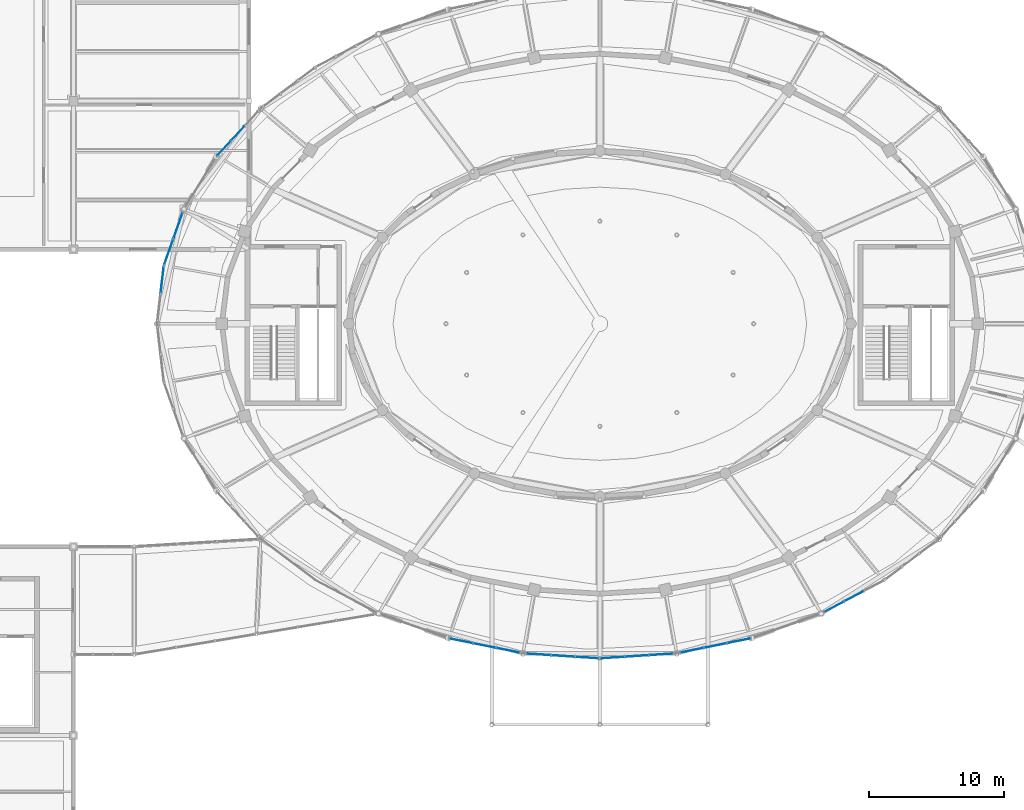
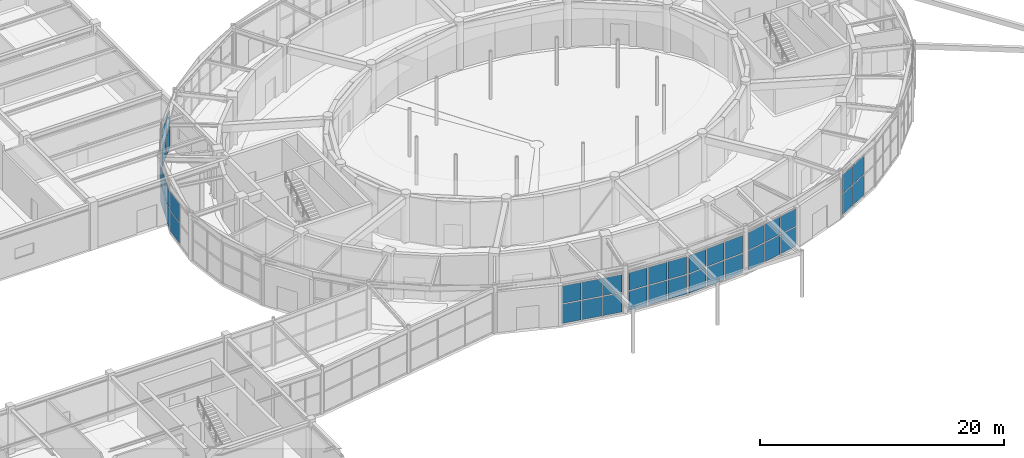
# One storey, part 78 of 108: 38 plates, 8 elements without a shape of their own.
"""IFC4 building model written with IfcOpenShell, lengths in metres."""

from ifc_helpers import new_model, si_unit, direction, frame, origin, origin_2d, place, context, subcontext, project, spatial, rectangle, extrude, material, layer, layer_set, type_object, element, aggregate, save


model = new_model("IFC4")

# Units and contexts
model_context = context("Model", 3, precision=1e-05, world=origin(), true_north=direction((0.0, 1.0)))
body_context = subcontext(model_context, "Body", "Model", "MODEL_VIEW")
ifc_project = project(units=[si_unit("LENGTHUNIT", "METRE"), si_unit("AREAUNIT", "SQUARE_METRE"), si_unit("VOLUMEUNIT", "CUBIC_METRE"), si_unit("PLANEANGLEUNIT", "RADIAN"), si_unit("MASSUNIT", "GRAM", prefix="KILO")], contexts=[model_context])

# Site, building, storey
site_placement = place(None, origin())
site = spatial("IfcSite", under=ifc_project, at=site_placement, CompositionType="ELEMENT")
building_placement = place(site_placement, origin())
building = spatial("IfcBuilding", under=site, at=building_placement, Name="Tarnveldt Headland Concert Hall", CompositionType="ELEMENT")
storey_placement = place(building_placement, origin())
storey = spatial("IfcBuildingStorey", under=building, at=storey_placement, Name="L00", CompositionType="ELEMENT", Elevation=0.0)

# Curtain wall, plates
ifc_material_1 = material(Name="Marine-anodised aluminium EN AW-6063-T6", Category="aluminium")
curtain_wall_type = type_object("IfcCurtainWallType", Name="CW-F1", PredefinedType="NOTDEFINED", material=ifc_material_1)
curtain_wall_1_placement = place(storey_placement, origin())
curtain_wall_1 = element("IfcCurtainWall", 1, at=curtain_wall_1_placement, inside=storey, type_object=curtain_wall_type, Name="Curtain wall CW-L00-012", PredefinedType="NOTDEFINED")
ifc_material_2 = material(Name="Acoustic laminated low-iron double glazing", Category="glass")
ifc_layer = layer(ifc_material_2, 0.031982421875, Name="Acoustic laminated low-iron double glazing", Category="glass")
ifc_layer_set = layer_set([ifc_layer], Name="Acoustic laminated low-iron double glazing")
plate_type = type_object("IfcPlateType", Name="PN-F1", PredefinedType="CURTAIN_PANEL", material=ifc_layer_set)
plate_1_placement = place(storey_placement, frame((56.6650390625, 68.595947265625, 0.09765625), z_axis=(0.0, 0.0, 1.0), x_axis=(-0.67945411016, -0.733718005903, 0.0)))
plate_1 = element("IfcPlate", 2, at=plate_1_placement, type_object=plate_type, Name="Glazed panel CW-L00-012-2-1", PredefinedType="CURTAIN_PANEL", context=body_context, shape_type="SweptSolid", body=[
    extrude(rectangle(XDim=1.3955078125, YDim=0.031982421875, at=origin_2d()), origin(), (0.0, 0.0, 1.0), 1.9130859375),
])
plate_2_placement = place(storey_placement, frame((56.6650390625, 68.595947265625, 2.105712890625), z_axis=(0.0, 0.0, 1.0), x_axis=(-0.67945411016, -0.733718005903, 0.0)))
plate_2 = element("IfcPlate", 3, at=plate_2_placement, type_object=plate_type, Name="Glazed panel CW-L00-012-2-2", PredefinedType="CURTAIN_PANEL", context=body_context, shape_type="SweptSolid", body=[
    extrude(rectangle(XDim=1.3955078125, YDim=0.031982421875, at=origin_2d()), origin(), (0.0, 0.0, 1.0), 1.7548828125),
])
plate_3_placement = place(storey_placement, frame((55.635986328125, 67.48486328125, 0.09765625), z_axis=(0.0, 0.0, 1.0), x_axis=(-0.67945411016, -0.733718005903, 0.0)))
plate_3 = element("IfcPlate", 4, at=plate_3_placement, type_object=plate_type, Name="Glazed panel CW-L00-012-3-1", PredefinedType="CURTAIN_PANEL", context=body_context, shape_type="SweptSolid", body=[
    extrude(rectangle(XDim=1.3955078125, YDim=0.031982421875, at=origin_2d()), origin(), (0.0, 0.0, 1.0), 1.9130859375),
])
plate_4_placement = place(storey_placement, frame((55.635986328125, 67.48486328125, 2.105712890625), z_axis=(0.0, 0.0, 1.0), x_axis=(-0.67945411016, -0.733718005903, 0.0)))
plate_4 = element("IfcPlate", 5, at=plate_4_placement, type_object=plate_type, Name="Glazed panel CW-L00-012-3-2", PredefinedType="CURTAIN_PANEL", context=body_context, shape_type="SweptSolid", body=[
    extrude(rectangle(XDim=1.3955078125, YDim=0.031982421875, at=origin_2d()), origin(), (0.0, 0.0, 1.0), 1.7548828125),
])
aggregate(curtain_wall_1, [plate_1, plate_2, plate_3, plate_4])

curtain_wall_2_placement = place(storey_placement, origin())
curtain_wall_2 = element("IfcCurtainWall", 6, at=curtain_wall_2_placement, inside=storey, type_object=curtain_wall_type, Name="Curtain wall CW-L00-013", PredefinedType="NOTDEFINED")
plate_5_placement = place(storey_placement, frame((52.25048828125, 61.775634765625, 0.09765625), z_axis=(0.0, 0.0, 1.0), x_axis=(-0.334037180034, -0.94255989855, 0.0)))
plate_5 = element("IfcPlate", 7, at=plate_5_placement, type_object=plate_type, Name="Glazed panel CW-L00-013-1-1", PredefinedType="CURTAIN_PANEL", context=body_context, shape_type="SweptSolid", body=[
    extrude(rectangle(XDim=1.954345703125, YDim=0.031982421875, at=origin_2d()), origin(), (0.0, 0.0, 1.0), 1.9130859375),
])
plate_6_placement = place(storey_placement, frame((52.25048828125, 61.775634765625, 2.105712890625), z_axis=(0.0, 0.0, 1.0), x_axis=(-0.334037180034, -0.94255989855, 0.0)))
plate_6 = element("IfcPlate", 8, at=plate_6_placement, type_object=plate_type, Name="Glazed panel CW-L00-013-1-2", PredefinedType="CURTAIN_PANEL", context=body_context, shape_type="SweptSolid", body=[
    extrude(rectangle(XDim=1.954345703125, YDim=0.031982421875, at=origin_2d()), origin(), (0.0, 0.0, 1.0), 1.7548828125),
])
plate_7_placement = place(storey_placement, frame((51.55810546875, 59.8212890625, 0.09765625), z_axis=(0.0, 0.0, 1.0), x_axis=(-0.334037180034, -0.94255989855, 0.0)))
plate_7 = element("IfcPlate", 9, at=plate_7_placement, type_object=plate_type, Name="Glazed panel CW-L00-013-2-1", PredefinedType="CURTAIN_PANEL", context=body_context, shape_type="SweptSolid", body=[
    extrude(rectangle(XDim=1.954345703125, YDim=0.031982421875, at=origin_2d()), origin(), (0.0, 0.0, 1.0), 1.9130859375),
])
plate_8_placement = place(storey_placement, frame((51.55810546875, 59.8212890625, 2.105712890625), z_axis=(0.0, 0.0, 1.0), x_axis=(-0.334037180034, -0.94255989855, 0.0)))
plate_8 = element("IfcPlate", 10, at=plate_8_placement, type_object=plate_type, Name="Glazed panel CW-L00-013-2-2", PredefinedType="CURTAIN_PANEL", context=body_context, shape_type="SweptSolid", body=[
    extrude(rectangle(XDim=1.954345703125, YDim=0.031982421875, at=origin_2d()), origin(), (0.0, 0.0, 1.0), 1.7548828125),
])
aggregate(curtain_wall_2, [plate_5, plate_6, plate_7, plate_8])

curtain_wall_3_placement = place(storey_placement, origin())
curtain_wall_3 = element("IfcCurtainWall", 11, at=curtain_wall_3_placement, inside=storey, type_object=curtain_wall_type, Name="Curtain wall CW-L00-014", PredefinedType="NOTDEFINED")
plate_9_placement = place(storey_placement, frame((51.077392578125, 57.760498046875, 0.097412109375), z_axis=(0.0, 0.0, 1.0), x_axis=(-0.114937150493, -0.9933727656, 0.0)))
plate_9 = element("IfcPlate", 12, at=plate_9_placement, type_object=plate_type, Name="Glazed panel CW-L00-014-1-1", PredefinedType="CURTAIN_PANEL", context=body_context, shape_type="SweptSolid", body=[
    extrude(rectangle(XDim=1.906982421875, YDim=0.031982421875, at=origin_2d()), origin(), (0.0, 0.0, 1.0), 2.0078125),
])
plate_10_placement = place(storey_placement, frame((51.077392578125, 57.760498046875, 2.2001953125), z_axis=(0.0, 0.0, 1.0), x_axis=(-0.114937150493, -0.9933727656, 0.0)))
plate_10 = element("IfcPlate", 13, at=plate_10_placement, type_object=plate_type, Name="Glazed panel CW-L00-014-1-2", PredefinedType="CURTAIN_PANEL", context=body_context, shape_type="SweptSolid", body=[
    extrude(rectangle(XDim=1.906982421875, YDim=0.031982421875, at=origin_2d()), origin(), (0.0, 0.0, 1.0), 1.84228515625),
])
aggregate(curtain_wall_3, [plate_9, plate_10])

curtain_wall_4_placement = place(storey_placement, origin())
curtain_wall_4 = element("IfcCurtainWall", 14, at=curtain_wall_4_placement, inside=storey, type_object=curtain_wall_type, Name="Curtain wall CW-L00-018", PredefinedType="NOTDEFINED")
plate_11_placement = place(storey_placement, frame((73.195068359375, 31.010498046875, 0.09765625), z_axis=(0.0, 0.0, 1.0), x_axis=(0.98008791737, -0.198564030542, 0.0)))
plate_11 = element("IfcPlate", 15, at=plate_11_placement, type_object=plate_type, Name="Glazed panel CW-L00-018-1-1", PredefinedType="CURTAIN_PANEL", context=body_context, shape_type="SweptSolid", body=[
    extrude(rectangle(XDim=1.664794921875, YDim=0.031982421875, at=origin_2d()), origin(), (0.0, 0.0, 1.0), 1.9130859375),
])
plate_12_placement = place(storey_placement, frame((73.195068359375, 31.010498046875, 2.105712890625), z_axis=(0.0, 0.0, 1.0), x_axis=(0.98008791737, -0.198564030542, 0.0)))
plate_12 = element("IfcPlate", 16, at=plate_12_placement, type_object=plate_type, Name="Glazed panel CW-L00-018-1-2", PredefinedType="CURTAIN_PANEL", context=body_context, shape_type="SweptSolid", body=[
    extrude(rectangle(XDim=1.664794921875, YDim=0.031982421875, at=origin_2d()), origin(), (0.0, 0.0, 1.0), 1.7548828125),
])
plate_13_placement = place(storey_placement, frame((74.943359375, 30.656494140625, 0.09765625), z_axis=(0.0, 0.0, 1.0), x_axis=(0.98008791737, -0.198564030542, 0.0)))
plate_13 = element("IfcPlate", 17, at=plate_13_placement, type_object=plate_type, Name="Glazed panel CW-L00-018-2-1", PredefinedType="CURTAIN_PANEL", context=body_context, shape_type="SweptSolid", body=[
    extrude(rectangle(XDim=1.664794921875, YDim=0.031982421875, at=origin_2d()), origin(), (0.0, 0.0, 1.0), 1.9130859375),
])
plate_14_placement = place(storey_placement, frame((74.943359375, 30.656494140625, 2.105712890625), z_axis=(0.0, 0.0, 1.0), x_axis=(0.98008791737, -0.198564030542, 0.0)))
plate_14 = element("IfcPlate", 18, at=plate_14_placement, type_object=plate_type, Name="Glazed panel CW-L00-018-2-2", PredefinedType="CURTAIN_PANEL", context=body_context, shape_type="SweptSolid", body=[
    extrude(rectangle(XDim=1.664794921875, YDim=0.031982421875, at=origin_2d()), origin(), (0.0, 0.0, 1.0), 1.7548828125),
])
plate_15_placement = place(storey_placement, frame((76.691650390625, 30.30224609375, 0.09765625), z_axis=(0.0, 0.0, 1.0), x_axis=(0.98008791737, -0.198564030542, 0.0)))
plate_15 = element("IfcPlate", 19, at=plate_15_placement, type_object=plate_type, Name="Glazed panel CW-L00-018-3-1", PredefinedType="CURTAIN_PANEL", context=body_context, shape_type="SweptSolid", body=[
    extrude(rectangle(XDim=1.664794921875, YDim=0.031982421875, at=origin_2d()), origin(), (0.0, 0.0, 1.0), 1.9130859375),
])
plate_16_placement = place(storey_placement, frame((76.691650390625, 30.30224609375, 2.105712890625), z_axis=(0.0, 0.0, 1.0), x_axis=(0.98008791737, -0.198564030542, 0.0)))
plate_16 = element("IfcPlate", 20, at=plate_16_placement, type_object=plate_type, Name="Glazed panel CW-L00-018-3-2", PredefinedType="CURTAIN_PANEL", context=body_context, shape_type="SweptSolid", body=[
    extrude(rectangle(XDim=1.664794921875, YDim=0.031982421875, at=origin_2d()), origin(), (0.0, 0.0, 1.0), 1.7548828125),
])
aggregate(curtain_wall_4, [plate_11, plate_12, plate_13, plate_14, plate_15, plate_16])

curtain_wall_5_placement = place(storey_placement, origin())
curtain_wall_5 = element("IfcCurtainWall", 21, at=curtain_wall_5_placement, inside=storey, type_object=curtain_wall_type, Name="Curtain wall CW-L00-019", PredefinedType="NOTDEFINED")
plate_17_placement = place(storey_placement, frame((78.94921875, 30.0009765625, 0.09765625), z_axis=(0.0, 0.0, 1.0), x_axis=(0.997818784564, -0.066012674318, 0.0)))
plate_17 = element("IfcPlate", 22, at=plate_17_placement, type_object=plate_type, Name="Glazed panel CW-L00-019-1-1", PredefinedType="CURTAIN_PANEL", context=body_context, shape_type="SweptSolid", body=[
    extrude(rectangle(XDim=1.689208984375, YDim=0.031982421875, at=origin_2d()), origin(), (0.0, 0.0, 1.0), 1.9130859375),
])
plate_18_placement = place(storey_placement, frame((78.94921875, 30.0009765625, 2.105712890625), z_axis=(0.0, 0.0, 1.0), x_axis=(0.997818784564, -0.066012674318, 0.0)))
plate_18 = element("IfcPlate", 23, at=plate_18_placement, type_object=plate_type, Name="Glazed panel CW-L00-019-1-2", PredefinedType="CURTAIN_PANEL", context=body_context, shape_type="SweptSolid", body=[
    extrude(rectangle(XDim=1.689208984375, YDim=0.031982421875, at=origin_2d()), origin(), (0.0, 0.0, 1.0), 1.7548828125),
])
plate_19_placement = place(storey_placement, frame((80.75341796875, 29.881591796875, 0.09765625), z_axis=(0.0, 0.0, 1.0), x_axis=(0.997818784564, -0.066012674318, 0.0)))
plate_19 = element("IfcPlate", 24, at=plate_19_placement, type_object=plate_type, Name="Glazed panel CW-L00-019-2-1", PredefinedType="CURTAIN_PANEL", context=body_context, shape_type="SweptSolid", body=[
    extrude(rectangle(XDim=1.689208984375, YDim=0.031982421875, at=origin_2d()), origin(), (0.0, 0.0, 1.0), 1.9130859375),
])
plate_20_placement = place(storey_placement, frame((80.75341796875, 29.881591796875, 2.105712890625), z_axis=(0.0, 0.0, 1.0), x_axis=(0.997818784564, -0.066012674318, 0.0)))
plate_20 = element("IfcPlate", 25, at=plate_20_placement, type_object=plate_type, Name="Glazed panel CW-L00-019-2-2", PredefinedType="CURTAIN_PANEL", context=body_context, shape_type="SweptSolid", body=[
    extrude(rectangle(XDim=1.689208984375, YDim=0.031982421875, at=origin_2d()), origin(), (0.0, 0.0, 1.0), 1.7548828125),
])
plate_21_placement = place(storey_placement, frame((82.557861328125, 29.76220703125, 0.09765625), z_axis=(0.0, 0.0, 1.0), x_axis=(0.997818784564, -0.066012674318, 0.0)))
plate_21 = element("IfcPlate", 26, at=plate_21_placement, type_object=plate_type, Name="Glazed panel CW-L00-019-3-1", PredefinedType="CURTAIN_PANEL", context=body_context, shape_type="SweptSolid", body=[
    extrude(rectangle(XDim=1.689208984375, YDim=0.031982421875, at=origin_2d()), origin(), (0.0, 0.0, 1.0), 1.9130859375),
])
plate_22_placement = place(storey_placement, frame((82.557861328125, 29.76220703125, 2.105712890625), z_axis=(0.0, 0.0, 1.0), x_axis=(0.997818784564, -0.066012674318, 0.0)))
plate_22 = element("IfcPlate", 27, at=plate_22_placement, type_object=plate_type, Name="Glazed panel CW-L00-019-3-2", PredefinedType="CURTAIN_PANEL", context=body_context, shape_type="SweptSolid", body=[
    extrude(rectangle(XDim=1.689208984375, YDim=0.031982421875, at=origin_2d()), origin(), (0.0, 0.0, 1.0), 1.7548828125),
])
aggregate(curtain_wall_5, [plate_17, plate_18, plate_19, plate_20, plate_21, plate_22])

curtain_wall_6_placement = place(storey_placement, origin())
curtain_wall_6 = element("IfcCurtainWall", 28, at=curtain_wall_6_placement, inside=storey, type_object=curtain_wall_type, Name="Curtain wall CW-L00-020", PredefinedType="NOTDEFINED")
plate_23_placement = place(storey_placement, frame((84.442138671875, 29.76220703125, 0.09765625), z_axis=(0.0, 0.0, 1.0), x_axis=(0.997818784564, 0.066012674318, 0.0)))
plate_23 = element("IfcPlate", 29, at=plate_23_placement, type_object=plate_type, Name="Glazed panel CW-L00-020-1-1", PredefinedType="CURTAIN_PANEL", context=body_context, shape_type="SweptSolid", body=[
    extrude(rectangle(XDim=1.689208984375, YDim=0.031982421875, at=origin_2d()), origin(), (0.0, 0.0, 1.0), 1.9130859375),
])
plate_24_placement = place(storey_placement, frame((84.442138671875, 29.76220703125, 2.105712890625), z_axis=(0.0, 0.0, 1.0), x_axis=(0.997818784564, 0.066012674318, 0.0)))
plate_24 = element("IfcPlate", 30, at=plate_24_placement, type_object=plate_type, Name="Glazed panel CW-L00-020-1-2", PredefinedType="CURTAIN_PANEL", context=body_context, shape_type="SweptSolid", body=[
    extrude(rectangle(XDim=1.689208984375, YDim=0.031982421875, at=origin_2d()), origin(), (0.0, 0.0, 1.0), 1.7548828125),
])
plate_25_placement = place(storey_placement, frame((86.24658203125, 29.881591796875, 0.09765625), z_axis=(0.0, 0.0, 1.0), x_axis=(0.997818784564, 0.066012674318, 0.0)))
plate_25 = element("IfcPlate", 31, at=plate_25_placement, type_object=plate_type, Name="Glazed panel CW-L00-020-2-1", PredefinedType="CURTAIN_PANEL", context=body_context, shape_type="SweptSolid", body=[
    extrude(rectangle(XDim=1.689208984375, YDim=0.031982421875, at=origin_2d()), origin(), (0.0, 0.0, 1.0), 1.9130859375),
])
plate_26_placement = place(storey_placement, frame((86.24658203125, 29.881591796875, 2.105712890625), z_axis=(0.0, 0.0, 1.0), x_axis=(0.997818784564, 0.066012674318, 0.0)))
plate_26 = element("IfcPlate", 32, at=plate_26_placement, type_object=plate_type, Name="Glazed panel CW-L00-020-2-2", PredefinedType="CURTAIN_PANEL", context=body_context, shape_type="SweptSolid", body=[
    extrude(rectangle(XDim=1.689208984375, YDim=0.031982421875, at=origin_2d()), origin(), (0.0, 0.0, 1.0), 1.7548828125),
])
plate_27_placement = place(storey_placement, frame((88.05078125, 30.0009765625, 0.09765625), z_axis=(0.0, 0.0, 1.0), x_axis=(0.997818784564, 0.066012674318, 0.0)))
plate_27 = element("IfcPlate", 33, at=plate_27_placement, type_object=plate_type, Name="Glazed panel CW-L00-020-3-1", PredefinedType="CURTAIN_PANEL", context=body_context, shape_type="SweptSolid", body=[
    extrude(rectangle(XDim=1.689208984375, YDim=0.031982421875, at=origin_2d()), origin(), (0.0, 0.0, 1.0), 1.9130859375),
])
plate_28_placement = place(storey_placement, frame((88.05078125, 30.0009765625, 2.105712890625), z_axis=(0.0, 0.0, 1.0), x_axis=(0.997818784564, 0.066012674318, 0.0)))
plate_28 = element("IfcPlate", 34, at=plate_28_placement, type_object=plate_type, Name="Glazed panel CW-L00-020-3-2", PredefinedType="CURTAIN_PANEL", context=body_context, shape_type="SweptSolid", body=[
    extrude(rectangle(XDim=1.689208984375, YDim=0.031982421875, at=origin_2d()), origin(), (0.0, 0.0, 1.0), 1.7548828125),
])
aggregate(curtain_wall_6, [plate_23, plate_24, plate_25, plate_26, plate_27, plate_28])

curtain_wall_7_placement = place(storey_placement, origin())
curtain_wall_7 = element("IfcCurtainWall", 35, at=curtain_wall_7_placement, inside=storey, type_object=curtain_wall_type, Name="Curtain wall CW-L00-021", PredefinedType="NOTDEFINED")
plate_29_placement = place(storey_placement, frame((90.308349609375, 30.30224609375, 0.09765625), z_axis=(0.0, 0.0, 1.0), x_axis=(0.98008791737, 0.198564030542, 0.0)))
plate_29 = element("IfcPlate", 36, at=plate_29_placement, type_object=plate_type, Name="Glazed panel CW-L00-021-1-1", PredefinedType="CURTAIN_PANEL", context=body_context, shape_type="SweptSolid", body=[
    extrude(rectangle(XDim=1.664794921875, YDim=0.031982421875, at=origin_2d()), origin(), (0.0, 0.0, 1.0), 1.9130859375),
])
plate_30_placement = place(storey_placement, frame((90.308349609375, 30.30224609375, 2.105712890625), z_axis=(0.0, 0.0, 1.0), x_axis=(0.98008791737, 0.198564030542, 0.0)))
plate_30 = element("IfcPlate", 37, at=plate_30_placement, type_object=plate_type, Name="Glazed panel CW-L00-021-1-2", PredefinedType="CURTAIN_PANEL", context=body_context, shape_type="SweptSolid", body=[
    extrude(rectangle(XDim=1.664794921875, YDim=0.031982421875, at=origin_2d()), origin(), (0.0, 0.0, 1.0), 1.7548828125),
])
plate_31_placement = place(storey_placement, frame((92.056640625, 30.656494140625, 0.09765625), z_axis=(0.0, 0.0, 1.0), x_axis=(0.98008791737, 0.198564030542, 0.0)))
plate_31 = element("IfcPlate", 38, at=plate_31_placement, type_object=plate_type, Name="Glazed panel CW-L00-021-2-1", PredefinedType="CURTAIN_PANEL", context=body_context, shape_type="SweptSolid", body=[
    extrude(rectangle(XDim=1.664794921875, YDim=0.031982421875, at=origin_2d()), origin(), (0.0, 0.0, 1.0), 1.9130859375),
])
plate_32_placement = place(storey_placement, frame((92.056640625, 30.656494140625, 2.105712890625), z_axis=(0.0, 0.0, 1.0), x_axis=(0.98008791737, 0.198564030542, 0.0)))
plate_32 = element("IfcPlate", 39, at=plate_32_placement, type_object=plate_type, Name="Glazed panel CW-L00-021-2-2", PredefinedType="CURTAIN_PANEL", context=body_context, shape_type="SweptSolid", body=[
    extrude(rectangle(XDim=1.664794921875, YDim=0.031982421875, at=origin_2d()), origin(), (0.0, 0.0, 1.0), 1.7548828125),
])
plate_33_placement = place(storey_placement, frame((93.804931640625, 31.010498046875, 0.09765625), z_axis=(0.0, 0.0, 1.0), x_axis=(0.98008791737, 0.198564030542, 0.0)))
plate_33 = element("IfcPlate", 40, at=plate_33_placement, type_object=plate_type, Name="Glazed panel CW-L00-021-3-1", PredefinedType="CURTAIN_PANEL", context=body_context, shape_type="SweptSolid", body=[
    extrude(rectangle(XDim=1.664794921875, YDim=0.031982421875, at=origin_2d()), origin(), (0.0, 0.0, 1.0), 1.9130859375),
])
plate_34_placement = place(storey_placement, frame((93.804931640625, 31.010498046875, 2.105712890625), z_axis=(0.0, 0.0, 1.0), x_axis=(0.98008791737, 0.198564030542, 0.0)))
plate_34 = element("IfcPlate", 41, at=plate_34_placement, type_object=plate_type, Name="Glazed panel CW-L00-021-3-2", PredefinedType="CURTAIN_PANEL", context=body_context, shape_type="SweptSolid", body=[
    extrude(rectangle(XDim=1.664794921875, YDim=0.031982421875, at=origin_2d()), origin(), (0.0, 0.0, 1.0), 1.7548828125),
])
aggregate(curtain_wall_7, [plate_29, plate_30, plate_31, plate_32, plate_33, plate_34])

curtain_wall_8_placement = place(storey_placement, origin())
curtain_wall_8 = element("IfcCurtainWall", 42, at=curtain_wall_8_placement, inside=storey, type_object=curtain_wall_type, Name="Curtain wall CW-L00-022", PredefinedType="NOTDEFINED")
plate_35_placement = place(storey_placement, frame((100.853759765625, 33.527587890625, 0.097412109375), z_axis=(0.0, 0.0, 1.0), x_axis=(0.883781963382, 0.467898964735, 0.0)))
plate_35 = element("IfcPlate", 43, at=plate_35_placement, type_object=plate_type, Name="Glazed panel CW-L00-022-1-1", PredefinedType="CURTAIN_PANEL", context=body_context, shape_type="SweptSolid", body=[
    extrude(rectangle(XDim=1.552978515625, YDim=0.031982421875, at=origin_2d()), origin(), (0.0, 0.0, 1.0), 2.0078125),
])
plate_36_placement = place(storey_placement, frame((100.853759765625, 33.527587890625, 2.2001953125), z_axis=(0.0, 0.0, 1.0), x_axis=(0.883781963382, 0.467898964735, 0.0)))
plate_36 = element("IfcPlate", 44, at=plate_36_placement, type_object=plate_type, Name="Glazed panel CW-L00-022-1-2", PredefinedType="CURTAIN_PANEL", context=body_context, shape_type="SweptSolid", body=[
    extrude(rectangle(XDim=1.552978515625, YDim=0.031982421875, at=origin_2d()), origin(), (0.0, 0.0, 1.0), 1.84228515625),
])
plate_37_placement = place(storey_placement, frame((102.33154296875, 34.309814453125, 0.097412109375), z_axis=(0.0, 0.0, 1.0), x_axis=(0.883781963382, 0.467898964735, 0.0)))
plate_37 = element("IfcPlate", 45, at=plate_37_placement, type_object=plate_type, Name="Glazed panel CW-L00-022-2-1", PredefinedType="CURTAIN_PANEL", context=body_context, shape_type="SweptSolid", body=[
    extrude(rectangle(XDim=1.552978515625, YDim=0.031982421875, at=origin_2d()), origin(), (0.0, 0.0, 1.0), 2.0078125),
])
plate_38_placement = place(storey_placement, frame((102.33154296875, 34.309814453125, 2.2001953125), z_axis=(0.0, 0.0, 1.0), x_axis=(0.883781963382, 0.467898964735, 0.0)))
plate_38 = element("IfcPlate", 46, at=plate_38_placement, type_object=plate_type, Name="Glazed panel CW-L00-022-2-2", PredefinedType="CURTAIN_PANEL", context=body_context, shape_type="SweptSolid", body=[
    extrude(rectangle(XDim=1.552978515625, YDim=0.031982421875, at=origin_2d()), origin(), (0.0, 0.0, 1.0), 1.84228515625),
])
aggregate(curtain_wall_8, [plate_35, plate_36, plate_37, plate_38])

save(model, "model.ifc")
